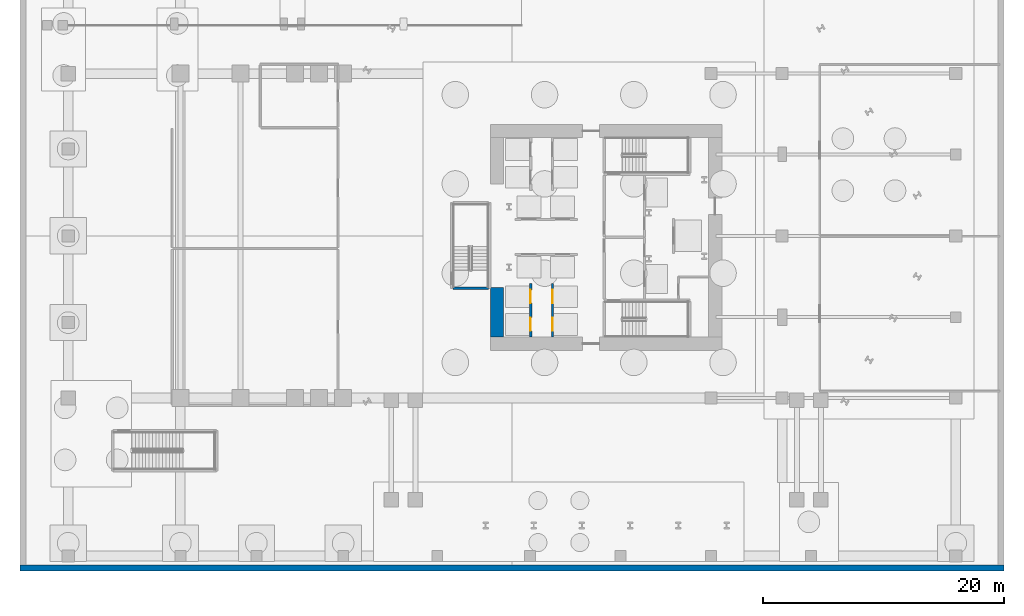
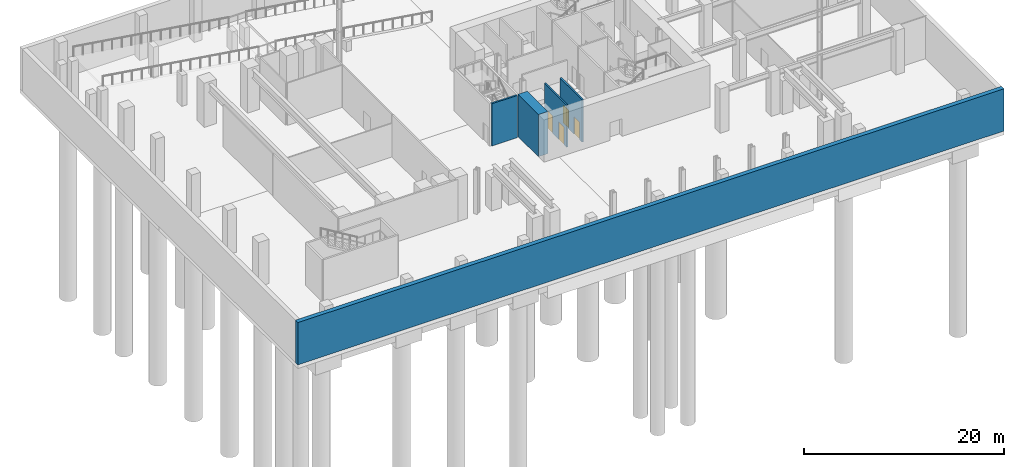
# One storey, part 5 of 16: 5 walls, 4 doors, 4 openings.
"""IFC4 building model written with IfcOpenShell, lengths in metres."""

from ifc_helpers import new_model, si_unit, direction, frame, frame_2d, origin, place, context, subcontext, project, spatial, rectangle, extrude, material, layer, layer_set, type_object, element, fill, save


model = new_model("IFC4")

# Units and contexts
model_context = context("Model", 3, precision=1e-05, world=origin(), true_north=direction((0.0, 1.0)))
body_context = subcontext(model_context, "Body", "Model", "MODEL_VIEW")
ifc_project = project(units=[si_unit("LENGTHUNIT", "METRE"), si_unit("AREAUNIT", "SQUARE_METRE"), si_unit("VOLUMEUNIT", "CUBIC_METRE"), si_unit("PLANEANGLEUNIT", "RADIAN"), si_unit("MASSUNIT", "GRAM", prefix="KILO")], contexts=[model_context])

# Site, building, storey
site_placement = place(None, origin())
site = spatial("IfcSite", under=ifc_project, at=site_placement, CompositionType="ELEMENT")
building_placement = place(site_placement, origin())
building = spatial("IfcBuilding", under=site, at=building_placement, Name="Valkerne Bourse Tower", CompositionType="ELEMENT")
storey_placement = place(building_placement, frame((0.0, 0.0, -5.39990234375)))
storey = spatial("IfcBuildingStorey", under=building, at=storey_placement, Name="B1", CompositionType="ELEMENT", Elevation=-5.39990234375)

# Wall
ifc_material_1 = material(Name="Concrete C70/85", Category="concrete")
ifc_layer_1 = layer(ifc_material_1, 1.10009765625)
ifc_layer_set_1 = layer_set([ifc_layer_1], Name="Concrete C70/85")
wall_type_1 = type_object("IfcWallType", Name="W-CORE-1100", PredefinedType="SHEAR", material=ifc_layer_set_1)
wall_1_placement = place(storey_placement, frame((37.75, 18.60009765625, 0.0), z_axis=(0.0, 0.0, 1.0), x_axis=(0.0, 1.0, 0.0)))
element("IfcWall", 1, at=wall_1_placement, inside=storey, type_object=wall_type_1, Name="B1 Core Shear Wall WEST-S", PredefinedType="SHEAR", context=body_context, shape_type="SweptSolid", body=[
    extrude(rectangle(XDim=4.099853515625, YDim=1.10009765625, at=frame_2d((2.0498046875, 0.0))), origin(), (0.0, 0.0, 1.0), 5.159912109375),
])

# Wall, openings, doors
ifc_material_2 = material(Name="CMU Blockwork Masonry 200mm", Category="masonry")
ifc_layer_2 = layer(ifc_material_2, 0.179931640625)
ifc_layer_set_2 = layer_set([ifc_layer_2], Name="CMU Blockwork Masonry 200mm")
wall_type_2 = type_object("IfcWallType", Name="W-LFT-180", PredefinedType="SOLIDWALL", material=ifc_layer_set_2)
wall_2_placement = place(storey_placement, frame((40.550048828125, 18.6201171875, 0.0), z_axis=(0.0, 0.0, 1.0), x_axis=(0.0, 1.0, 0.0)))
wall_2 = element("IfcWall", 2, at=wall_2_placement, inside=storey, type_object=wall_type_2, Name="B1 Low-Zone West Cars Front Wall", PredefinedType="SOLIDWALL", context=body_context, shape_type="SweptSolid", body=[
    extrude(rectangle(XDim=4.429931640625, YDim=0.179931640625, at=frame_2d((2.21484375, 0.0))), origin(), (0.0, 0.0, 1.0), 5.159912109375),
])
opening_1_placement = place(wall_2_placement, frame((0.5, 0.0, 0.0)))
opening_1 = element("IfcOpeningElement", 3, at=opening_1_placement, cuts=wall_2, Name="Opening LD-1100", PredefinedType="OPENING", context=body_context, shape_type="SweptSolid", body=[
    extrude(rectangle(XDim=1.10009765625, YDim=2.14990234375, at=frame_2d((0.550048828125, 1.074951171875))), frame((0.0, 0.099853515625, 0.0), z_axis=(0.0, -1.0, 0.0), x_axis=(1.0, 0.0, 0.0)), (0.0, 0.0, 1.0), 0.199951171875),
])
opening_2_placement = place(wall_2_placement, frame((2.800048828125, 0.0, 0.0)))
opening_2 = element("IfcOpeningElement", 4, at=opening_2_placement, cuts=wall_2, Name="Opening LD-1100", PredefinedType="OPENING", context=body_context, shape_type="SweptSolid", body=[
    extrude(rectangle(XDim=1.10009765625, YDim=2.14990234375, at=frame_2d((0.550048828125, 1.074951171875))), frame((0.0, 0.099853515625, 0.0), z_axis=(0.0, -1.0, 0.0), x_axis=(1.0, 0.0, 0.0)), (0.0, 0.0, 1.0), 0.199951171875),
])
ifc_material_3 = material(Name="Stainless Steel AISI 316", Category="steel")
door_type = type_object("IfcDoorType", Name="DR-LIFT-1100", OperationType="DOUBLE_DOOR_SLIDING", PredefinedType="DOOR", material=ifc_material_3)
door_1_placement = place(opening_1_placement, origin())
door_1 = element("IfcDoor", 5, at=door_1_placement, inside=storey, type_object=door_type, Name="B1 Passenger Lift PL-L1 Sliding Landing Door", OperationType="DOUBLE_DOOR_SLIDING", OverallHeight=2.14990234375, OverallWidth=1.10009765625, PredefinedType="DOOR", context=body_context, shape_type="SweptSolid", body=[
    extrude(rectangle(XDim=1.10009765625, YDim=2.14990234375, at=frame_2d((0.550048828125, 1.074951171875))), frame((0.0, 0.02490234375, 0.0), z_axis=(0.0, -1.0, 0.0), x_axis=(1.0, 0.0, 0.0)), (0.0, 0.0, 1.0), 0.050048828125),
])
fill(opening_1, door_1)
door_2_placement = place(opening_2_placement, origin())
door_2 = element("IfcDoor", 6, at=door_2_placement, inside=storey, type_object=door_type, Name="B1 Passenger Lift PL-L2 Sliding Landing Door", OperationType="DOUBLE_DOOR_SLIDING", OverallHeight=2.14990234375, OverallWidth=1.10009765625, PredefinedType="DOOR", context=body_context, shape_type="SweptSolid", body=[
    extrude(rectangle(XDim=1.10009765625, YDim=2.14990234375, at=frame_2d((0.550048828125, 1.074951171875))), frame((0.0, 0.02490234375, 0.0), z_axis=(0.0, -1.0, 0.0), x_axis=(1.0, 0.0, 0.0)), (0.0, 0.0, 1.0), 0.050048828125),
])
fill(opening_2, door_2)

wall_3_placement = place(storey_placement, frame((42.35009765625, 18.6201171875, 0.0), z_axis=(0.0, 0.0, 1.0), x_axis=(0.0, 1.0, 0.0)))
wall_3 = element("IfcWall", 7, at=wall_3_placement, inside=storey, type_object=wall_type_2, Name="B1 Low-Zone East Cars Front Wall", PredefinedType="SOLIDWALL", context=body_context, shape_type="SweptSolid", body=[
    extrude(rectangle(XDim=4.429931640625, YDim=0.179931640625, at=frame_2d((2.21484375, 0.0))), origin(), (0.0, 0.0, 1.0), 5.159912109375),
])
opening_3_placement = place(wall_3_placement, frame((0.5, 0.0, 0.0)))
opening_3 = element("IfcOpeningElement", 8, at=opening_3_placement, cuts=wall_3, Name="Opening LD-1100", PredefinedType="OPENING", context=body_context, shape_type="SweptSolid", body=[
    extrude(rectangle(XDim=1.10009765625, YDim=2.14990234375, at=frame_2d((0.550048828125, 1.074951171875))), frame((0.0, 0.099853515625, 0.0), z_axis=(0.0, -1.0, 0.0), x_axis=(1.0, 0.0, 0.0)), (0.0, 0.0, 1.0), 0.199951171875),
])
opening_4_placement = place(wall_3_placement, frame((2.800048828125, 0.0, 0.0)))
opening_4 = element("IfcOpeningElement", 9, at=opening_4_placement, cuts=wall_3, Name="Opening LD-1100", PredefinedType="OPENING", context=body_context, shape_type="SweptSolid", body=[
    extrude(rectangle(XDim=1.10009765625, YDim=2.14990234375, at=frame_2d((0.550048828125, 1.074951171875))), frame((0.0, 0.099853515625, 0.0), z_axis=(0.0, -1.0, 0.0), x_axis=(1.0, 0.0, 0.0)), (0.0, 0.0, 1.0), 0.199951171875),
])
door_3_placement = place(opening_3_placement, origin())
door_3 = element("IfcDoor", 10, at=door_3_placement, inside=storey, type_object=door_type, Name="B1 Passenger Lift PL-L3 Sliding Landing Door", OperationType="DOUBLE_DOOR_SLIDING", OverallHeight=2.14990234375, OverallWidth=1.10009765625, PredefinedType="DOOR", context=body_context, shape_type="SweptSolid", body=[
    extrude(rectangle(XDim=1.10009765625, YDim=2.14990234375, at=frame_2d((0.550048828125, 1.074951171875))), frame((0.0, 0.02490234375, 0.0), z_axis=(0.0, -1.0, 0.0), x_axis=(1.0, 0.0, 0.0)), (0.0, 0.0, 1.0), 0.050048828125),
])
fill(opening_3, door_3)
door_4_placement = place(opening_4_placement, origin())
door_4 = element("IfcDoor", 11, at=door_4_placement, inside=storey, type_object=door_type, Name="B1 Passenger Lift PL-L4 Sliding Landing Door", OperationType="DOUBLE_DOOR_SLIDING", OverallHeight=2.14990234375, OverallWidth=1.10009765625, PredefinedType="DOOR", context=body_context, shape_type="SweptSolid", body=[
    extrude(rectangle(XDim=1.10009765625, YDim=2.14990234375, at=frame_2d((0.550048828125, 1.074951171875))), frame((0.0, 0.02490234375, 0.0), z_axis=(0.0, -1.0, 0.0), x_axis=(1.0, 0.0, 0.0)), (0.0, 0.0, 1.0), 0.050048828125),
])
fill(opening_4, door_4)

# Walls
ifc_material_4 = material(Name="Concrete C55/67", Category="concrete")
ifc_layer_3 = layer(ifc_material_4, 0.5)
ifc_layer_set_3 = layer_set([ifc_layer_3], Name="Concrete C55/67")
wall_type_3 = type_object("IfcWallType", Name="W-RET-500", PredefinedType="SHEAR", material=ifc_layer_set_3)
wall_4_placement = place(storey_placement, frame((-1.800048828125, -0.550048828125, 0.0), z_axis=(0.0, 0.0, 1.0), x_axis=(1.0, 0.0, 0.0)))
element("IfcWall", 12, at=wall_4_placement, inside=storey, type_object=wall_type_3, Name="B1 Perimeter Retaining Wall S", PredefinedType="SHEAR", context=body_context, shape_type="SweptSolid", body=[
    extrude(rectangle(XDim=81.60009765625, YDim=0.5, at=frame_2d((40.800048828125, 0.0))), origin(), (0.0, 0.0, 1.0), 5.159912109375),
])
ifc_material_5 = material(Name="Concrete C40/50", Category="concrete")
ifc_layer_4 = layer(ifc_material_5, 0.199951171875)
ifc_layer_set_4 = layer_set([ifc_layer_4], Name="Concrete C40/50")
wall_type_4 = type_object("IfcWallType", Name="W-SHF-200", PredefinedType="SHEAR", material=ifc_layer_set_4)
wall_5_placement = place(storey_placement, frame((34.10009765625, 22.64990234375, 0.0), z_axis=(0.0, 0.0, 1.0), x_axis=(1.0, 0.0, 0.0)))
element("IfcWall", 13, at=wall_5_placement, inside=storey, type_object=wall_type_4, Name="B1 Exit Stair ST-3 Structural Shaft Wall South", PredefinedType="SHEAR", context=body_context, shape_type="SweptSolid", body=[
    extrude(rectangle(XDim=2.949951171875, YDim=0.199951171875, at=frame_2d((1.47509765625, 0.0))), origin(), (0.0, 0.0, 1.0), 5.159912109375),
])

save(model, "model.ifc")
